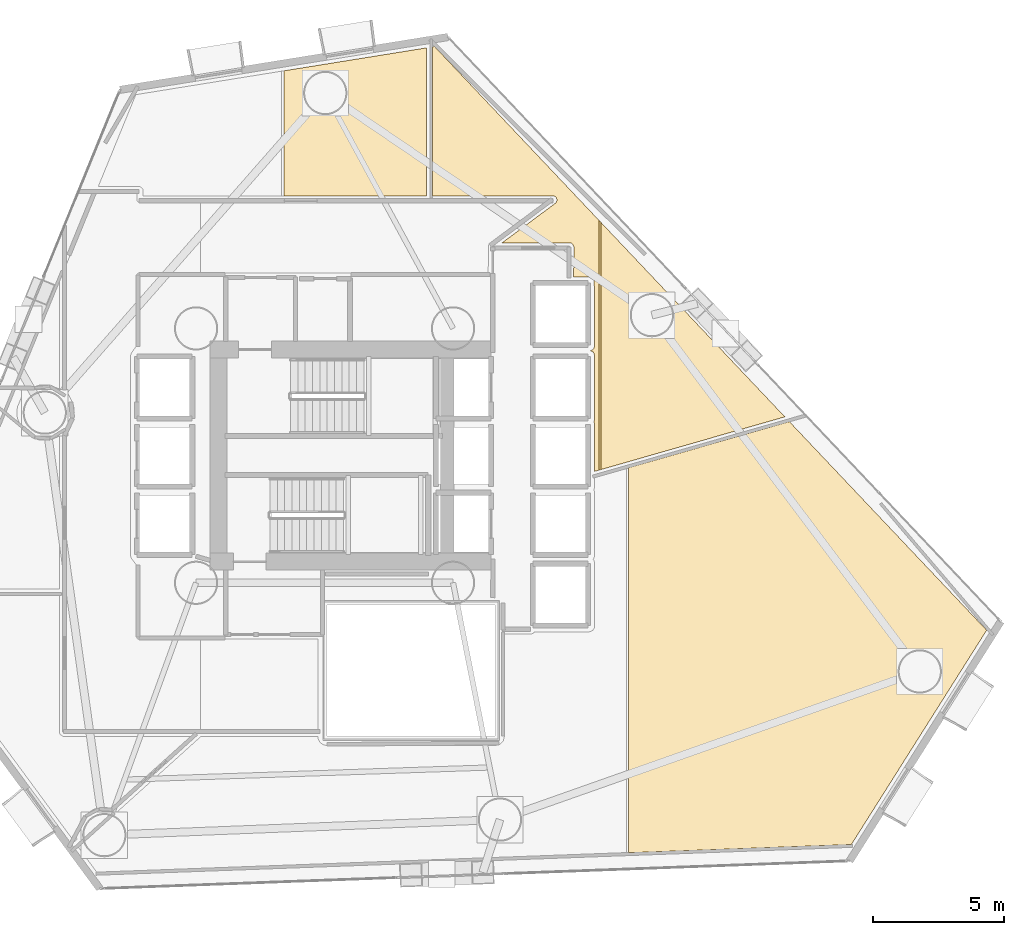
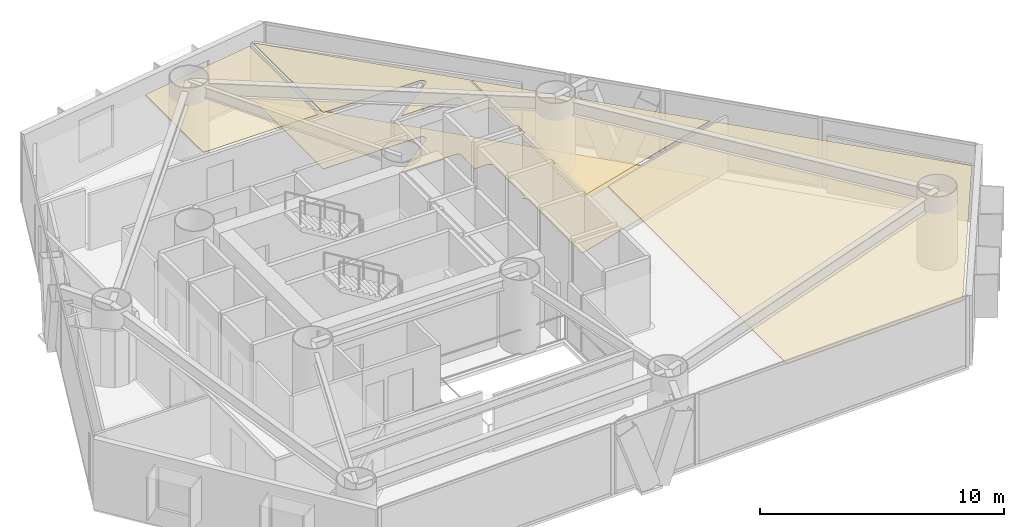
# One storey, part 23 of 23: 5 coverings.
"""IFC4 building model written with IfcOpenShell, lengths in metres."""

from ifc_helpers import new_model, si_unit, direction, frame, origin, place, context, subcontext, project, spatial, polyline, outline, extrude, material, layer, layer_set, type_object, element, save


model = new_model("IFC4")

# Units and contexts
model_context = context("Model", 3, precision=1e-05, world=origin(), true_north=direction((0.0, 1.0)))
body_context = subcontext(model_context, "Body", "Model", "MODEL_VIEW")
ifc_project = project(units=[si_unit("LENGTHUNIT", "METRE"), si_unit("AREAUNIT", "SQUARE_METRE"), si_unit("VOLUMEUNIT", "CUBIC_METRE"), si_unit("PLANEANGLEUNIT", "RADIAN"), si_unit("MASSUNIT", "GRAM", prefix="KILO")], contexts=[model_context])

# Site, building, storey
site_placement = place(None, origin())
site = spatial("IfcSite", under=ifc_project, at=site_placement, CompositionType="ELEMENT")
building_placement = place(site_placement, origin())
building = spatial("IfcBuilding", under=site, at=building_placement, Name="Qianvela Tower", CompositionType="ELEMENT")
storey_placement = place(building_placement, frame((0.0, 0.0, 52.5)))
storey = spatial("IfcBuildingStorey", under=building, at=storey_placement, Name="L12", CompositionType="ELEMENT", Elevation=52.5)

# Coverings
ifc_material_1 = material(Name="Perforated Mineral Acoustic Ceiling Tile")
ifc_layer_1 = layer(ifc_material_1, 0.02490234375)
ifc_layer_set_1 = layer_set([ifc_layer_1], Name="Perforated Mineral Acoustic Ceiling Tile")
covering_type_1 = type_object("IfcCoveringType", Name="COV-CEIL-ACOUSTIC-25", PredefinedType="CEILING", material=ifc_layer_set_1)
covering_1_placement = place(storey_placement, frame((0.0, 0.0, 2.81494140625)))
element("IfcCovering", 1, at=covering_1_placement, inside=storey, type_object=covering_type_1, Name="L12 Acoustic Ceiling Bay 2 Student Reading Library L12-02", PredefinedType="CEILING", context=body_context, shape_type="SweptSolid", body=[
    extrude(outline(polyline([(51.22607421875, 29.99609375), (58.750244140625, 22.04150390625), (53.58984375, 13.866943359375), (45.099365234375, 13.5537109375), (45.099365234375, 28.239501953125), (51.22607421875, 29.99609375)])), origin(), (0.0, 0.0, 1.0), 0.025146484375),
])
covering_2_placement = place(storey_placement, frame((0.0, 0.0, 2.81494140625)))
element("IfcCovering", 2, at=covering_2_placement, inside=storey, type_object=covering_type_1, Name="L12 Acoustic Ceiling Bay 1 Media Practice Cinema L12-03", PredefinedType="CEILING", context=body_context, shape_type="SweptSolid", body=[
    extrude(outline(polyline([(43.722412109375, 32.739013671875), (43.729248046875, 32.74267578125), (43.73583984375, 32.746826171875), (43.741943359375, 32.751953125), (43.74755859375, 32.757568359375), (43.75244140625, 32.763427734375), (43.7568359375, 32.77001953125), (43.760498046875, 32.777099609375), (43.763427734375, 32.7841796875), (43.79541015625, 32.873046875), (43.79736328125, 32.879638671875), (43.798828125, 32.88671875), (43.7998046875, 32.8935546875), (43.800048828125, 32.900390625), (43.783447265625, 35.366455078125), (43.782958984375, 35.374267578125), (43.78173828125, 35.382080078125), (43.77978515625, 35.3896484375), (43.77734375, 35.39697265625), (43.77392578125, 35.40380859375), (43.77001953125, 35.41064453125), (43.76513671875, 35.4169921875), (43.760009765625, 35.422607421875), (43.754150390625, 35.427978515625), (43.747802734375, 35.4326171875), (43.63818359375, 35.505859375), (43.63134765625, 35.510009765625), (43.62451171875, 35.51318359375), (43.616943359375, 35.515869140625), (43.609375, 35.517822265625), (43.6015625, 35.518798828125), (43.59375, 35.519287109375), (43.0, 35.52001953125), (43.010009765625, 36.6494140625), (43.009765625, 36.6572265625), (43.008544921875, 36.6650390625), (43.006591796875, 36.6728515625), (43.00390625, 36.680419921875), (43.00048828125, 36.6875), (42.99658203125, 36.6943359375), (42.947021484375, 36.768310546875), (42.9423828125, 36.774658203125), (42.937255859375, 36.780517578125), (42.931396484375, 36.78564453125), (42.925048828125, 36.790283203125), (42.91845703125, 36.79443359375), (42.911376953125, 36.7978515625), (42.904052734375, 36.80029296875), (42.896484375, 36.80224609375), (42.888671875, 36.803466796875), (42.880859375, 36.803955078125), (40.26220703125, 36.8095703125), (42.298583984375, 38.321533203125), (42.3046875, 38.32666015625), (42.310302734375, 38.332275390625), (42.315185546875, 38.33837890625), (42.319580078125, 38.34521484375), (42.351318359375, 38.39892578125), (42.35498046875, 38.406005859375), (42.35791015625, 38.41357421875), (42.360107421875, 38.421142578125), (42.36181640625, 38.42919921875), (42.3623046875, 38.43701171875), (42.3623046875, 38.445068359375), (42.361083984375, 38.452880859375), (42.359619140625, 38.460693359375), (42.343017578125, 38.52099609375), (42.340576171875, 38.528076171875), (42.33740234375, 38.53515625), (42.333984375, 38.541748046875), (42.32958984375, 38.5478515625), (42.32470703125, 38.5537109375), (42.3193359375, 38.55908203125), (42.3134765625, 38.56396484375), (42.307373046875, 38.568115234375), (42.300537109375, 38.57177734375), (42.23779296875, 38.60205078125), (42.231201171875, 38.60498046875), (42.224365234375, 38.607177734375), (42.21728515625, 38.608642578125), (42.210205078125, 38.609619140625), (42.203125, 38.610107421875), (37.6220703125, 38.610107421875), (37.6220703125, 44.28857421875), (37.696044921875, 44.30029296875), (43.959228515625, 37.6787109375), (43.959228515625, 28.1435546875), (43.800048828125, 28.097900390625), (43.800048828125, 29.89990234375), (43.799560546875, 29.907958984375), (43.79833984375, 29.915771484375), (43.79638671875, 29.923583984375), (43.793701171875, 29.93115234375), (43.7646484375, 30.0), (43.793701171875, 30.06884765625), (43.79638671875, 30.076416015625), (43.79833984375, 30.084228515625), (43.799560546875, 30.092041015625), (43.800048828125, 30.10009765625), (43.800048828125, 32.5), (43.799560546875, 32.509033203125), (43.7978515625, 32.518310546875), (43.79541015625, 32.527099609375), (43.763427734375, 32.61572265625), (43.760498046875, 32.623046875), (43.7568359375, 32.6298828125), (43.75244140625, 32.636474609375), (43.74755859375, 32.642578125), (43.741943359375, 32.648193359375), (43.73583984375, 32.653076171875), (43.729248046875, 32.657470703125), (43.722412109375, 32.6611328125), (43.640380859375, 32.699951171875), (43.722412109375, 32.739013671875)])), origin(), (0.0, 0.0, 1.0), 0.025146484375),
])
covering_3_placement = place(storey_placement, frame((0.0, 0.0, 2.81494140625)))
element("IfcCovering", 3, at=covering_3_placement, inside=storey, type_object=covering_type_1, Name="L12 Acoustic Ceiling Bay 2 Media Practice Cinema L12-03", PredefinedType="CEILING", context=body_context, shape_type="SweptSolid", body=[
    extrude(outline(polyline([(51.05419921875, 30.177978515625), (44.039306640625, 28.16650390625), (44.039306640625, 37.59423828125), (51.05419921875, 30.177978515625)])), origin(), (0.0, 0.0, 1.0), 0.025146484375),
])
covering_4_placement = place(storey_placement, frame((0.0, 0.0, 2.81494140625)))
element("IfcCovering", 4, at=covering_4_placement, inside=storey, type_object=covering_type_1, Name="L12 Acoustic Ceiling Bay 2 Academic Advising Lounge L12-04", PredefinedType="CEILING", context=body_context, shape_type="SweptSolid", body=[
    extrude(outline(polyline([(37.3779296875, 44.249267578125), (37.3779296875, 38.610107421875), (31.945068359375, 38.610107421875), (31.945068359375, 43.37451171875), (37.3779296875, 44.249267578125)])), origin(), (0.0, 0.0, 1.0), 0.025146484375),
])
ifc_material_2 = material(Name="Engineered Acoustic Oak Timber Flooring", Category="wood")
ifc_layer_2 = layer(ifc_material_2, 0.02001953125)
ifc_layer_set_2 = layer_set([ifc_layer_2], Name="Engineered Acoustic Oak Timber Flooring")
covering_type_2 = type_object("IfcCoveringType", Name="COV-FLOOR-OAK-20", PredefinedType="FLOORING", material=ifc_layer_set_2)
covering_5_placement = place(storey_placement, origin())
element("IfcCovering", 5, at=covering_5_placement, inside=storey, type_object=covering_type_2, Name="L12 Finish Flooring Media Practice Cinema L12-03", PredefinedType="FLOORING", context=body_context, shape_type="SweptSolid", body=[
    extrude(outline(polyline([(43.640380859375, 32.699951171875), (43.722412109375, 32.739013671875), (43.729248046875, 32.74267578125), (43.73583984375, 32.746826171875), (43.741943359375, 32.751953125), (43.74755859375, 32.757568359375), (43.75244140625, 32.763427734375), (43.7568359375, 32.77001953125), (43.760498046875, 32.777099609375), (43.763427734375, 32.7841796875), (43.79541015625, 32.873046875), (43.79736328125, 32.879638671875), (43.798828125, 32.88671875), (43.7998046875, 32.8935546875), (43.800048828125, 32.900390625), (43.783447265625, 35.366455078125), (43.782958984375, 35.374267578125), (43.78173828125, 35.382080078125), (43.77978515625, 35.3896484375), (43.77734375, 35.39697265625), (43.77392578125, 35.40380859375), (43.77001953125, 35.41064453125), (43.76513671875, 35.4169921875), (43.760009765625, 35.422607421875), (43.754150390625, 35.427978515625), (43.747802734375, 35.4326171875), (43.63818359375, 35.505859375), (43.63134765625, 35.510009765625), (43.62451171875, 35.51318359375), (43.616943359375, 35.515869140625), (43.609375, 35.517822265625), (43.6015625, 35.518798828125), (43.59375, 35.519287109375), (43.0, 35.52001953125), (43.010009765625, 36.6494140625), (43.009765625, 36.6572265625), (43.008544921875, 36.6650390625), (43.006591796875, 36.6728515625), (43.00390625, 36.680419921875), (43.00048828125, 36.6875), (42.99658203125, 36.6943359375), (42.947021484375, 36.768310546875), (42.9423828125, 36.774658203125), (42.937255859375, 36.780517578125), (42.931396484375, 36.78564453125), (42.925048828125, 36.790283203125), (42.91845703125, 36.79443359375), (42.911376953125, 36.7978515625), (42.904052734375, 36.80029296875), (42.896484375, 36.80224609375), (42.888671875, 36.803466796875), (42.880859375, 36.803955078125), (40.26220703125, 36.8095703125), (42.298583984375, 38.321533203125), (42.3046875, 38.32666015625), (42.310302734375, 38.332275390625), (42.315185546875, 38.33837890625), (42.319580078125, 38.34521484375), (42.351318359375, 38.39892578125), (42.35498046875, 38.406005859375), (42.35791015625, 38.41357421875), (42.360107421875, 38.421142578125), (42.36181640625, 38.42919921875), (42.3623046875, 38.43701171875), (42.3623046875, 38.445068359375), (42.361083984375, 38.452880859375), (42.359619140625, 38.460693359375), (42.343017578125, 38.52099609375), (42.340576171875, 38.528076171875), (42.33740234375, 38.53515625), (42.333984375, 38.541748046875), (42.32958984375, 38.5478515625), (42.32470703125, 38.5537109375), (42.3193359375, 38.55908203125), (42.3134765625, 38.56396484375), (42.307373046875, 38.568115234375), (42.300537109375, 38.57177734375), (42.23779296875, 38.60205078125), (42.231201171875, 38.60498046875), (42.224365234375, 38.607177734375), (42.21728515625, 38.608642578125), (42.210205078125, 38.609619140625), (42.203125, 38.610107421875), (37.6220703125, 38.610107421875), (37.6220703125, 44.28857421875), (37.696044921875, 44.30029296875), (51.05419921875, 30.177978515625), (43.800048828125, 28.097900390625), (43.800048828125, 29.89990234375), (43.799560546875, 29.907958984375), (43.79833984375, 29.915771484375), (43.79638671875, 29.923583984375), (43.793701171875, 29.93115234375), (43.7646484375, 30.0), (43.793701171875, 30.06884765625), (43.79638671875, 30.076416015625), (43.79833984375, 30.084228515625), (43.799560546875, 30.092041015625), (43.800048828125, 30.10009765625), (43.800048828125, 32.5), (43.799560546875, 32.509033203125), (43.7978515625, 32.518310546875), (43.79541015625, 32.527099609375), (43.763427734375, 32.61572265625), (43.760498046875, 32.623046875), (43.7568359375, 32.6298828125), (43.75244140625, 32.636474609375), (43.74755859375, 32.642578125), (43.741943359375, 32.648193359375), (43.73583984375, 32.653076171875), (43.729248046875, 32.657470703125), (43.722412109375, 32.6611328125), (43.640380859375, 32.699951171875)])), origin(), (0.0, 0.0, 1.0), 0.02001953125),
])

save(model, "model.ifc")
